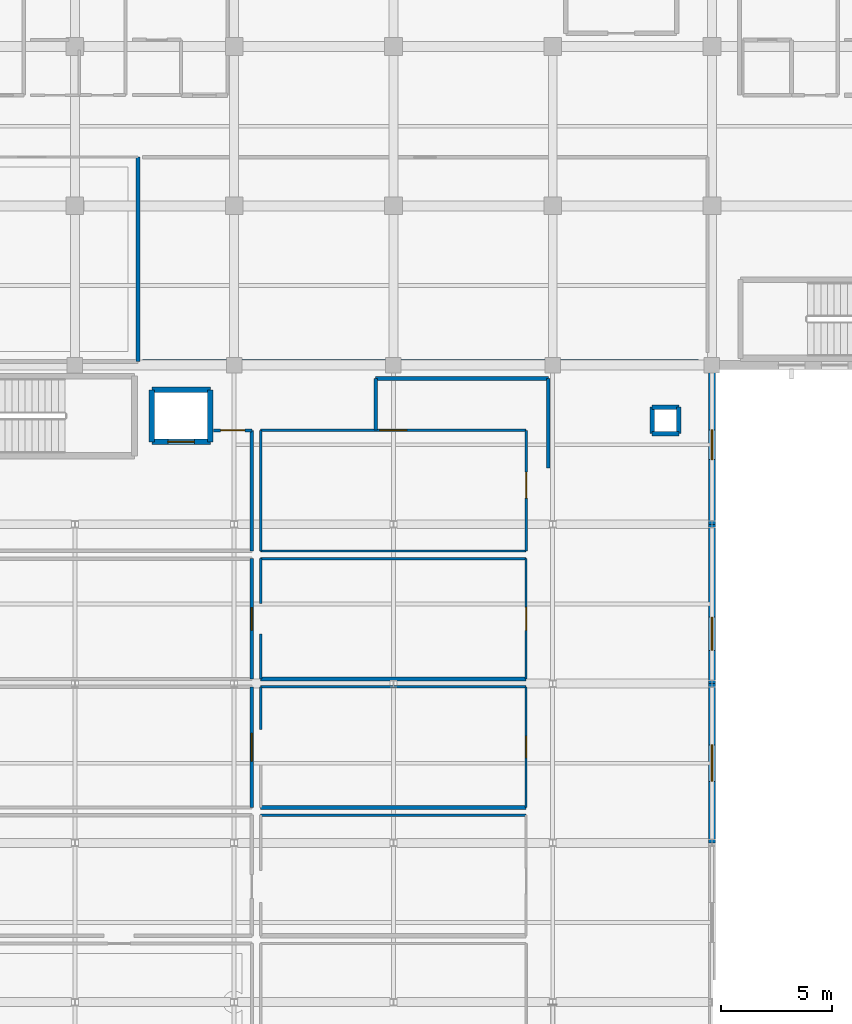
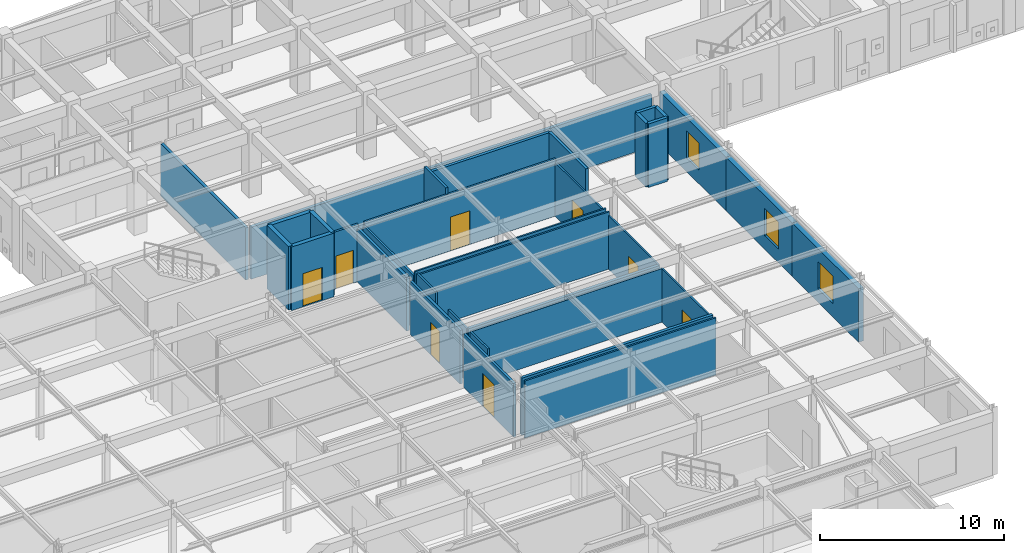
# One storey, part 77 of 106: 34 walls, 8 doors, 3 windows, 11 openings.
"""IFC4 building model written with IfcOpenShell, lengths in metres."""

from ifc_helpers import new_model, si_unit, direction, frame, frame_2d, origin, place, context, subcontext, project, spatial, rectangle, extrude, material, layer, layer_set, type_object, element, fill, save


model = new_model("IFC4")

# Units and contexts
model_context = context("Model", 3, precision=1e-05, world=origin(), true_north=direction((0.0, 1.0)))
body_context = subcontext(model_context, "Body", "Model", "MODEL_VIEW")
ifc_project = project(units=[si_unit("LENGTHUNIT", "METRE"), si_unit("AREAUNIT", "SQUARE_METRE"), si_unit("VOLUMEUNIT", "CUBIC_METRE"), si_unit("PLANEANGLEUNIT", "RADIAN"), si_unit("MASSUNIT", "GRAM", prefix="KILO")], contexts=[model_context])

# Site, building, storey
site_placement = place(None, origin())
site = spatial("IfcSite", under=ifc_project, at=site_placement, CompositionType="ELEMENT")
building_placement = place(site_placement, origin())
building = spatial("IfcBuilding", under=site, at=building_placement, Name="Carrowvane Square Congress Hotel", CompositionType="ELEMENT")
storey_placement = place(building_placement, frame((0.0, 0.0, 10.5)))
storey = spatial("IfcBuildingStorey", under=building, at=storey_placement, Name="L02", CompositionType="ELEMENT", Elevation=10.5)

# Wall, opening, window
ifc_material_1 = material(Name="Standing-seam zinc cladding", Category="metal")
ifc_layer_1 = layer(ifc_material_1, 0.31005859375)
ifc_layer_set_1 = layer_set([ifc_layer_1], Name="Standing-seam zinc cladding")
wall_type_1 = type_object("IfcWallType", Name="WL-EXT-ZN310", PredefinedType="STANDARD", material=ifc_layer_set_1)
wall_1_placement = place(storey_placement, frame((69.199951171875, 91.800048828125, 0.0), z_axis=(0.0, 0.0, 1.0), x_axis=(0.0, -1.0, 0.0)))
wall_1 = element("IfcWall", 1, at=wall_1_placement, inside=storey, type_object=wall_type_1, Name="L02 exterior facade wall 323", PredefinedType="STANDARD", context=body_context, shape_type="SweptSolid", body=[
    extrude(rectangle(XDim=7.199951171875, YDim=0.31005859375, at=frame_2d((3.60009765625, 0.0))), origin(), (0.0, 0.0, 1.0), 3.554931640625),
])
opening_1_placement = place(wall_1_placement, frame((2.925048828125, 0.0, 0.89990234375)))
opening_1 = element("IfcOpeningElement", 2, at=opening_1_placement, cuts=wall_1, Name="Opening W-02", PredefinedType="OPENING", context=body_context, shape_type="SweptSolid", body=[
    extrude(rectangle(XDim=1.35009765625, YDim=1.800048828125, at=frame_2d((0.675048828125, 0.89990234375))), frame((0.0, 0.1650390625, 0.0), z_axis=(0.0, -1.0, 0.0), x_axis=(1.0, 0.0, 0.0)), (0.0, 0.0, 1.0), 0.330078125),
])
ifc_material_2 = material(Name="Double-glazed low-E glass", Category="glass")
window_type_1 = type_object("IfcWindowType", Name="WIN-02", PartitioningType="SINGLE_PANEL", PredefinedType="WINDOW", material=ifc_material_2)
window_1_placement = place(opening_1_placement, origin())
window_1 = element("IfcWindow", 3, at=window_1_placement, inside=storey, type_object=window_type_1, Name="L02 facade window 150", OverallHeight=1.800048828125, OverallWidth=1.35009765625, PartitioningType="SINGLE_PANEL", PredefinedType="WINDOW", context=body_context, shape_type="SweptSolid", body=[
    extrude(rectangle(XDim=1.35009765625, YDim=1.800048828125, at=frame_2d((0.675048828125, 0.89990234375))), frame((0.0, 0.030029296875, 0.0), z_axis=(0.0, -1.0, 0.0), x_axis=(1.0, 0.0, 0.0)), (0.0, 0.0, 1.0), 0.06005859375),
])
fill(opening_1, window_1)

wall_2_placement = place(storey_placement, frame((69.199951171875, 84.60009765625, 0.0), z_axis=(0.0, 0.0, 1.0), x_axis=(0.0, -1.0, 0.0)))
wall_2 = element("IfcWall", 4, at=wall_2_placement, inside=storey, type_object=wall_type_1, Name="L02 exterior facade wall 324", PredefinedType="STANDARD", context=body_context, shape_type="SweptSolid", body=[
    extrude(rectangle(XDim=7.2001953125, YDim=0.31005859375, at=frame_2d((3.60009765625, 0.0))), origin(), (0.0, 0.0, 1.0), 3.554931640625),
])
opening_2_placement = place(wall_2_placement, frame((4.199951171875, 0.0, 0.89990234375)))
opening_2 = element("IfcOpeningElement", 5, at=opening_2_placement, cuts=wall_2, Name="Opening W-03", PredefinedType="OPENING", context=body_context, shape_type="SweptSolid", body=[
    extrude(rectangle(XDim=1.5, YDim=1.800048828125, at=frame_2d((0.75, 0.89990234375))), frame((0.0, 0.1650390625, 0.0), z_axis=(0.0, -1.0, 0.0), x_axis=(1.0, 0.0, 0.0)), (0.0, 0.0, 1.0), 0.330078125),
])
ifc_material_3 = material(Name="Double-glazed low-E glass", Category="glass")
window_type_2 = type_object("IfcWindowType", Name="WIN-03", PartitioningType="SINGLE_PANEL", PredefinedType="WINDOW", material=ifc_material_3)
window_2_placement = place(opening_2_placement, origin())
window_2 = element("IfcWindow", 6, at=window_2_placement, inside=storey, type_object=window_type_2, Name="L02 facade window 151", OverallHeight=1.800048828125, OverallWidth=1.5, PartitioningType="SINGLE_PANEL", PredefinedType="WINDOW", context=body_context, shape_type="SweptSolid", body=[
    extrude(rectangle(XDim=1.5, YDim=1.800048828125, at=frame_2d((0.75, 0.89990234375))), frame((0.0, 0.030029296875, 0.0), z_axis=(0.0, -1.0, 0.0), x_axis=(1.0, 0.0, 0.0)), (0.0, 0.0, 1.0), 0.06005859375),
])
fill(opening_2, window_2)

wall_3_placement = place(storey_placement, frame((69.199951171875, 77.39990234375, 0.0), z_axis=(0.0, 0.0, 1.0), x_axis=(0.0, -1.0, 0.0)))
wall_3 = element("IfcWall", 7, at=wall_3_placement, inside=storey, type_object=wall_type_1, Name="L02 exterior facade wall 325", PredefinedType="STANDARD", context=body_context, shape_type="SweptSolid", body=[
    extrude(rectangle(XDim=7.199951171875, YDim=0.31005859375, at=frame_2d((3.60009765625, 0.0))), origin(), (0.0, 0.0, 1.0), 3.554931640625),
])
opening_3_placement = place(wall_3_placement, frame((2.77490234375, 0.0, 0.89990234375)))
opening_3 = element("IfcOpeningElement", 8, at=opening_3_placement, cuts=wall_3, Name="Opening W-04", PredefinedType="OPENING", context=body_context, shape_type="SweptSolid", body=[
    extrude(rectangle(XDim=1.64990234375, YDim=1.800048828125, at=frame_2d((0.824951171875, 0.89990234375))), frame((0.0, 0.1650390625, 0.0), z_axis=(0.0, -1.0, 0.0), x_axis=(1.0, 0.0, 0.0)), (0.0, 0.0, 1.0), 0.330078125),
])
ifc_material_4 = material(Name="Double-glazed low-E glass", Category="glass")
window_type_3 = type_object("IfcWindowType", Name="WIN-04", PartitioningType="SINGLE_PANEL", PredefinedType="WINDOW", material=ifc_material_4)
window_3_placement = place(opening_3_placement, origin())
window_3 = element("IfcWindow", 9, at=window_3_placement, inside=storey, type_object=window_type_3, Name="L02 facade window 152", OverallHeight=1.800048828125, OverallWidth=1.64990234375, PartitioningType="SINGLE_PANEL", PredefinedType="WINDOW", context=body_context, shape_type="SweptSolid", body=[
    extrude(rectangle(XDim=1.64990234375, YDim=1.800048828125, at=frame_2d((0.824951171875, 0.89990234375))), frame((0.0, 0.030029296875, 0.0), z_axis=(0.0, -1.0, 0.0), x_axis=(1.0, 0.0, 0.0)), (0.0, 0.0, 1.0), 0.06005859375),
])
fill(opening_3, window_3)

# Walls
ifc_material_5 = material(Name="Acoustic gypsum board", Category="gypsum")
ifc_layer_2 = layer(ifc_material_5, 0.155029296875)
ifc_layer_set_2 = layer_set([ifc_layer_2], Name="Acoustic gypsum board")
wall_type_2 = type_object("IfcWallType", Name="WL-FIR-155", PredefinedType="PARTITIONING", material=ifc_layer_set_2)
wall_4_placement = place(storey_placement, frame((54.0, 88.860107421875, 0.0), z_axis=(0.0, 0.0, 1.0), x_axis=(0.0, 1.0, 0.0)))
element("IfcWall", 10, at=wall_4_placement, inside=storey, type_object=wall_type_2, Name="L02 Second Floor Spa Accessible WC partition", PredefinedType="PARTITIONING", context=body_context, shape_type="SweptSolid", body=[
    extrude(rectangle(XDim=2.33984375, YDim=0.155029296875, at=frame_2d((1.169921875, 0.0))), origin(), (0.0, 0.0, 1.0), 4.219970703125),
])
ifc_material_6 = material(Name="Acoustic gypsum board", Category="gypsum")
ifc_layer_3 = layer(ifc_material_6, 0.169921875)
ifc_layer_set_3 = layer_set([ifc_layer_3], Name="Acoustic gypsum board")
wall_type_3 = type_object("IfcWallType", Name="WL-FIR-170", PredefinedType="PARTITIONING", material=ifc_layer_set_3)
wall_5_placement = place(storey_placement, frame((48.39990234375, 88.85009765625, 0.0), z_axis=(0.0, 0.0, 1.0), x_axis=(0.0, -1.0, 0.0)))
element("IfcWall", 11, at=wall_5_placement, inside=storey, type_object=wall_type_3, Name="L02 Holistic Spa Suite 209 partition", PredefinedType="PARTITIONING", context=body_context, shape_type="SweptSolid", body=[
    extrude(rectangle(XDim=5.4501953125, YDim=0.169921875, at=frame_2d((2.72509765625, 0.0))), origin(), (0.0, 0.0, 1.0), 3.554931640625),
])
wall_6_placement = place(storey_placement, frame((61.800048828125, 91.199951171875, 0.0), z_axis=(0.0, 0.0, 1.0), x_axis=(0.0, -1.0, 0.0)))
element("IfcWall", 12, at=wall_6_placement, inside=storey, type_object=wall_type_3, Name="L02 Second Floor Spa Accessible WC partition", PredefinedType="PARTITIONING", context=body_context, shape_type="SweptSolid", body=[
    extrude(rectangle(XDim=4.054931640625, YDim=0.169921875, at=frame_2d((2.02734375, 0.0))), origin(), (0.0, 0.0, 1.0), 3.795654296875),
])
ifc_material_7 = material(Name="Acoustic gypsum board", Category="gypsum")
ifc_layer_4 = layer(ifc_material_7, 0.18505859375)
ifc_layer_set_4 = layer_set([ifc_layer_4], Name="Acoustic gypsum board")
wall_type_4 = type_object("IfcWallType", Name="WL-FIR-185", PredefinedType="PARTITIONING", material=ifc_layer_set_4)
wall_7_placement = place(storey_placement, frame((43.25, 101.199951171875, 0.0), z_axis=(0.0, 0.0, 1.0), x_axis=(0.0, -1.0, 0.0)))
element("IfcWall", 13, at=wall_7_placement, inside=storey, type_object=wall_type_4, Name="L02 L02 Wellness Reading Lounge partition", PredefinedType="PARTITIONING", context=body_context, shape_type="SweptSolid", body=[
    extrude(rectangle(XDim=9.239990234375, YDim=0.18505859375, at=frame_2d((4.6201171875, 0.0))), origin(), (0.0, 0.0, 1.0), 3.455078125),
])
wall_8_placement = place(storey_placement, frame((68.590087890625, 91.9599609375, 0.0), z_axis=(0.0, 0.0, 1.0), x_axis=(-1.0, 0.0, 0.0)))
element("IfcWall", 14, at=wall_8_placement, inside=storey, type_object=wall_type_4, Name="L02 L02 West Delegate Linen and Service Room partition", PredefinedType="PARTITIONING", context=body_context, shape_type="SweptSolid", body=[
    extrude(rectangle(XDim=25.14013671875, YDim=0.18505859375, at=frame_2d((12.570068359375, 0.0))), origin(), (0.0, 0.0, 1.0), 3.455078125),
])
wall_9_placement = place(storey_placement, frame((60.800048828125, 71.800048828125, 0.0), z_axis=(0.0, 0.0, 1.0), x_axis=(-1.0, 0.0, 0.0)))
element("IfcWall", 15, at=wall_9_placement, inside=storey, type_object=wall_type_4, Name="L02 Holistic Spa Suite 206 partition", PredefinedType="PARTITIONING", context=body_context, shape_type="SweptSolid", body=[
    extrude(rectangle(XDim=12.0, YDim=0.18505859375, at=frame_2d((6.0, 0.0))), origin(), (0.0, 0.0, 1.0), 3.795654296875),
])
wall_10_placement = place(storey_placement, frame((60.800048828125, 77.60009765625, 0.0), z_axis=(0.0, 0.0, 1.0), x_axis=(-1.0, 0.0, 0.0)))
element("IfcWall", 16, at=wall_10_placement, inside=storey, type_object=wall_type_4, Name="L02 Holistic Spa Suite 208 partition", PredefinedType="PARTITIONING", context=body_context, shape_type="SweptSolid", body=[
    extrude(rectangle(XDim=12.0, YDim=0.18505859375, at=frame_2d((6.0, 0.0))), origin(), (0.0, 0.0, 1.0), 3.554931640625),
])
wall_11_placement = place(storey_placement, frame((54.0, 91.199951171875, 0.0), z_axis=(0.0, 0.0, 1.0), x_axis=(1.0, 0.0, 0.0)))
element("IfcWall", 17, at=wall_11_placement, inside=storey, type_object=wall_type_4, Name="L02 Second Floor Spa Accessible WC partition", PredefinedType="PARTITIONING", context=body_context, shape_type="SweptSolid", body=[
    extrude(rectangle(XDim=7.800048828125, YDim=0.18505859375, at=frame_2d((3.89990234375, 0.0))), origin(), (0.0, 0.0, 1.0), 3.795654296875),
])
ifc_material_8 = material(Name="Standing-seam zinc cladding", Category="metal")
ifc_layer_5 = layer(ifc_material_8, 0.195068359375)
ifc_layer_set_5 = layer_set([ifc_layer_5], Name="Standing-seam zinc cladding")
wall_type_5 = type_object("IfcWallType", Name="WL-PAR-195", PredefinedType="PARAPET", material=ifc_layer_set_5)
for number, where, z_axis, x_axis, name in (
    (18, (66.5, 88.699951171875, 0.0), (0.0, 0.0, 1.0), (1.0, 0.0, 0.0), "L02 service riser RSR-V4 enclosure S"),
    (19, (67.699951171875, 88.699951171875, 0.0), (0.0, 0.0, 1.0), (0.0, 1.0, 0.0), "L02 service riser RSR-V4 enclosure E"),
    (20, (67.699951171875, 89.89990234375, 0.0), (0.0, 0.0, 1.0), (-1.0, 0.0, 0.0), "L02 service riser RSR-V4 enclosure N"),
    (21, (66.5, 89.89990234375, 0.0), (0.0, 0.0, 1.0), (0.0, -1.0, 0.0), "L02 service riser RSR-V4 enclosure W"),
):
    element("IfcWall", number, at=place(storey_placement, frame(where, z_axis=z_axis, x_axis=x_axis)), inside=storey, type_object=wall_type_5, Name=name, PredefinedType="PARAPET", context=body_context, shape_type="SweptSolid", body=[
        extrude(rectangle(XDim=1.199951171875, YDim=0.195068359375, at=frame_2d((0.60009765625, 0.0))), origin(), (0.0, 0.0, 1.0), 4.219970703125),
    ])

# Wall, opening, door
ifc_material_9 = material(Name="Acoustic gypsum board", Category="gypsum")
ifc_layer_6 = layer(ifc_material_9, 0.097900390625)
ifc_layer_set_6 = layer_set([ifc_layer_6], Name="Acoustic gypsum board")
wall_type_6 = type_object("IfcWallType", Name="WL-PRT-098", PredefinedType="PARTITIONING", material=ifc_layer_set_6)
wall_12_placement = place(storey_placement, frame((60.800048828125, 77.25, 0.0), z_axis=(0.0, 0.0, 1.0), x_axis=(0.0, -1.0, 0.0)))
wall_12 = element("IfcWall", 22, at=wall_12_placement, inside=storey, type_object=wall_type_6, Name="L02 Holistic Spa Suite 206 partition", PredefinedType="PARTITIONING", context=body_context, shape_type="SweptSolid", body=[
    extrude(rectangle(XDim=5.449951171875, YDim=0.097900390625, at=frame_2d((2.72509765625, 0.0))), origin(), (0.0, 0.0, 1.0), 3.554931640625),
])
opening_4_placement = place(wall_12_placement, frame((2.239990234375, 0.0, 0.0)))
opening_4 = element("IfcOpeningElement", 23, at=opening_4_placement, cuts=wall_12, Name="Opening ID-19", PredefinedType="OPENING", context=body_context, shape_type="SweptSolid", body=[
    extrude(rectangle(XDim=0.969970703125, YDim=2.159912109375, at=frame_2d((0.48486328125, 1.080078125))), frame((0.0, 0.058837890625, 0.0), z_axis=(0.0, -1.0, 0.0), x_axis=(1.0, 0.0, 0.0)), (0.0, 0.0, 1.0), 0.117919921875),
])
ifc_material_10 = material(Name="European oak timber", Category="wood")
door_type_1 = type_object("IfcDoorType", Name="DR-INT-0970x2160", OperationType="NOTDEFINED", PredefinedType="DOOR", material=ifc_material_10)
door_1_placement = place(opening_4_placement, origin())
door_1 = element("IfcDoor", 24, at=door_1_placement, inside=storey, type_object=door_type_1, Name="L02 Holistic Spa Suite 206 entrance door", OperationType="SINGLE_SWING_RIGHT", OverallHeight=2.159912109375, OverallWidth=0.969970703125, PredefinedType="DOOR", context=body_context, shape_type="SweptSolid", body=[
    extrude(rectangle(XDim=0.969970703125, YDim=2.159912109375, at=frame_2d((0.48486328125, 1.080078125))), frame((0.0, 0.02490234375, 0.0), z_axis=(0.0, -1.0, 0.0), x_axis=(1.0, 0.0, 0.0)), (0.0, 0.0, 1.0), 0.050048828125),
])
fill(opening_4, door_1)

wall_13_placement = place(storey_placement, frame((60.800048828125, 83.050048828125, 0.0), z_axis=(0.0, 0.0, 1.0), x_axis=(0.0, -1.0, 0.0)))
wall_13 = element("IfcWall", 25, at=wall_13_placement, inside=storey, type_object=wall_type_6, Name="L02 Holistic Spa Suite 208 partition", PredefinedType="PARTITIONING", context=body_context, shape_type="SweptSolid", body=[
    extrude(rectangle(XDim=5.449951171875, YDim=0.097900390625, at=frame_2d((2.72509765625, 0.0))), origin(), (0.0, 0.0, 1.0), 3.554931640625),
])
opening_5_placement = place(wall_13_placement, frame((2.199951171875, 0.0, 0.0)))
opening_5 = element("IfcOpeningElement", 26, at=opening_5_placement, cuts=wall_13, Name="Opening ID-21", PredefinedType="OPENING", context=body_context, shape_type="SweptSolid", body=[
    extrude(rectangle(XDim=1.050048828125, YDim=2.179931640625, at=frame_2d((0.52490234375, 1.08984375))), frame((0.0, 0.058837890625, 0.0), z_axis=(0.0, -1.0, 0.0), x_axis=(1.0, 0.0, 0.0)), (0.0, 0.0, 1.0), 0.117919921875),
])
ifc_material_11 = material(Name="European oak timber", Category="wood")
door_type_2 = type_object("IfcDoorType", Name="DR-INT-1050x2180", OperationType="NOTDEFINED", PredefinedType="DOOR", material=ifc_material_11)
door_2_placement = place(opening_5_placement, origin())
door_2 = element("IfcDoor", 27, at=door_2_placement, inside=storey, type_object=door_type_2, Name="L02 Holistic Spa Suite 208 entrance door", OperationType="SINGLE_SWING_RIGHT", OverallHeight=2.179931640625, OverallWidth=1.050048828125, PredefinedType="DOOR", context=body_context, shape_type="SweptSolid", body=[
    extrude(rectangle(XDim=1.050048828125, YDim=2.179931640625, at=frame_2d((0.52490234375, 1.08984375))), frame((0.0, 0.02490234375, 0.0), z_axis=(0.0, -1.0, 0.0), x_axis=(1.0, 0.0, 0.0)), (0.0, 0.0, 1.0), 0.050048828125),
])
fill(opening_5, door_2)

# Walls
wall_14_placement = place(storey_placement, frame((60.800048828125, 83.39990234375, 0.0), z_axis=(0.0, 0.0, 1.0), x_axis=(-1.0, 0.0, 0.0)))
element("IfcWall", 28, at=wall_14_placement, inside=storey, type_object=wall_type_6, Name="L02 Holistic Spa Suite 2010 partition", PredefinedType="PARTITIONING", context=body_context, shape_type="SweptSolid", body=[
    extrude(rectangle(XDim=12.0, YDim=0.097900390625, at=frame_2d((6.0, 0.0))), origin(), (0.0, 0.0, 1.0), 3.795654296875),
])
ifc_material_12 = material(Name="Acoustic gypsum board", Category="gypsum")
ifc_layer_7 = layer(ifc_material_12, 0.10791015625)
ifc_layer_set_7 = layer_set([ifc_layer_7], Name="Acoustic gypsum board")
wall_type_7 = type_object("IfcWallType", Name="WL-PRT-108", PredefinedType="PARTITIONING", material=ifc_layer_set_7)
wall_15_placement = place(storey_placement, frame((48.800048828125, 71.449951171875, 0.0), z_axis=(0.0, 0.0, 1.0), x_axis=(1.0, 0.0, 0.0)))
element("IfcWall", 29, at=wall_15_placement, inside=storey, type_object=wall_type_7, Name="L02 Holistic Spa Suite 204 partition", PredefinedType="PARTITIONING", context=body_context, shape_type="SweptSolid", body=[
    extrude(rectangle(XDim=12.0, YDim=0.10791015625, at=frame_2d((6.0, 0.0))), origin(), (0.0, 0.0, 1.0), 3.795654296875),
])
wall_16_placement = place(storey_placement, frame((48.800048828125, 77.25, 0.0), z_axis=(0.0, 0.0, 1.0), x_axis=(1.0, 0.0, 0.0)))
element("IfcWall", 30, at=wall_16_placement, inside=storey, type_object=wall_type_7, Name="L02 Holistic Spa Suite 206 partition", PredefinedType="PARTITIONING", context=body_context, shape_type="SweptSolid", body=[
    extrude(rectangle(XDim=12.0, YDim=0.10791015625, at=frame_2d((6.0, 0.0))), origin(), (0.0, 0.0, 1.0), 3.554931640625),
])
wall_17_placement = place(storey_placement, frame((48.800048828125, 83.050048828125, 0.0), z_axis=(0.0, 0.0, 1.0), x_axis=(1.0, 0.0, 0.0)))
element("IfcWall", 31, at=wall_17_placement, inside=storey, type_object=wall_type_7, Name="L02 Holistic Spa Suite 208 partition", PredefinedType="PARTITIONING", context=body_context, shape_type="SweptSolid", body=[
    extrude(rectangle(XDim=12.0, YDim=0.10791015625, at=frame_2d((6.0, 0.0))), origin(), (0.0, 0.0, 1.0), 3.795654296875),
])

# Wall, opening, door
wall_18_placement = place(storey_placement, frame((60.800048828125, 88.85009765625, 0.0), z_axis=(0.0, 0.0, 1.0), x_axis=(0.0, -1.0, 0.0)))
wall_18 = element("IfcWall", 32, at=wall_18_placement, inside=storey, type_object=wall_type_7, Name="L02 Holistic Spa Suite 2010 partition", PredefinedType="PARTITIONING", context=body_context, shape_type="SweptSolid", body=[
    extrude(rectangle(XDim=5.4501953125, YDim=0.10791015625, at=frame_2d((2.72509765625, 0.0))), origin(), (0.0, 0.0, 1.0), 3.554931640625),
])
opening_6_placement = place(wall_18_placement, frame((1.885009765625, 0.0, 0.0)))
opening_6 = element("IfcOpeningElement", 33, at=opening_6_placement, cuts=wall_18, Name="Opening ID-23", PredefinedType="OPENING", context=body_context, shape_type="SweptSolid", body=[
    extrude(rectangle(XDim=1.179931640625, YDim=2.219970703125, at=frame_2d((0.58984375, 1.10986328125))), frame((0.0, 0.06396484375, 0.0), z_axis=(0.0, -1.0, 0.0), x_axis=(1.0, 0.0, 0.0)), (0.0, 0.0, 1.0), 0.1279296875),
])
ifc_material_13 = material(Name="European oak timber", Category="wood")
door_type_3 = type_object("IfcDoorType", Name="DR-INT-1180x2220", OperationType="NOTDEFINED", PredefinedType="DOOR", material=ifc_material_13)
door_3_placement = place(opening_6_placement, origin())
door_3 = element("IfcDoor", 34, at=door_3_placement, inside=storey, type_object=door_type_3, Name="L02 Holistic Spa Suite 2010 entrance door", OperationType="SINGLE_SWING_RIGHT", OverallHeight=2.219970703125, OverallWidth=1.179931640625, PredefinedType="DOOR", context=body_context, shape_type="SweptSolid", body=[
    extrude(rectangle(XDim=1.179931640625, YDim=2.219970703125, at=frame_2d((0.58984375, 1.10986328125))), frame((0.0, 0.02490234375, 0.0), z_axis=(0.0, -1.0, 0.0), x_axis=(1.0, 0.0, 0.0)), (0.0, 0.0, 1.0), 0.050048828125),
])
fill(opening_6, door_3)

# Walls
ifc_material_14 = material(Name="Acoustic gypsum board", Category="gypsum")
ifc_layer_8 = layer(ifc_material_14, 0.117919921875)
ifc_layer_set_8 = layer_set([ifc_layer_8], Name="Acoustic gypsum board")
wall_type_8 = type_object("IfcWallType", Name="WL-PRT-118", PredefinedType="PARTITIONING", material=ifc_layer_set_8)
wall_19_placement = place(storey_placement, frame((48.800048828125, 75.330078125, 0.0), z_axis=(0.0, 0.0, 1.0), x_axis=(0.0, 1.0, 0.0)))
element("IfcWall", 35, at=wall_19_placement, inside=storey, type_object=wall_type_8, Name="L02 Holistic Spa Suite 206 partition", PredefinedType="PARTITIONING", context=body_context, shape_type="SweptSolid", body=[
    extrude(rectangle(XDim=1.919921875, YDim=0.117919921875, at=frame_2d((0.9599609375, 0.0))), origin(), (0.0, 0.0, 1.0), 3.554931640625),
])
wall_20_placement = place(storey_placement, frame((48.800048828125, 81.010009765625, 0.0), z_axis=(0.0, 0.0, 1.0), x_axis=(0.0, 1.0, 0.0)))
element("IfcWall", 36, at=wall_20_placement, inside=storey, type_object=wall_type_8, Name="L02 Holistic Spa Suite 208 partition", PredefinedType="PARTITIONING", context=body_context, shape_type="SweptSolid", body=[
    extrude(rectangle(XDim=2.0400390625, YDim=0.117919921875, at=frame_2d((1.02001953125, 0.0))), origin(), (0.0, 0.0, 1.0), 3.8984375),
])

# Wall, opening, door
wall_21_placement = place(storey_placement, frame((48.800048828125, 88.85009765625, 0.0), z_axis=(0.0, 0.0, 1.0), x_axis=(1.0, 0.0, 0.0)))
wall_21 = element("IfcWall", 37, at=wall_21_placement, inside=storey, type_object=wall_type_8, Name="L02 Holistic Spa Suite 2010 partition", PredefinedType="PARTITIONING", context=body_context, shape_type="SweptSolid", body=[
    extrude(rectangle(XDim=12.0, YDim=0.117919921875, at=frame_2d((6.0, 0.0))), origin(), (0.0, 0.0, 1.0), 3.795654296875),
])
opening_7_placement = place(wall_21_placement, frame((5.389892578125, 0.0, 0.0)))
opening_7 = element("IfcOpeningElement", 38, at=opening_7_placement, cuts=wall_21, Name="Opening ID-24", PredefinedType="OPENING", context=body_context, shape_type="SweptSolid", body=[
    extrude(rectangle(XDim=1.219970703125, YDim=2.239990234375, at=frame_2d((0.60986328125, 1.1201171875))), frame((0.0, 0.06884765625, 0.0), z_axis=(0.0, -1.0, 0.0), x_axis=(1.0, 0.0, 0.0)), (0.0, 0.0, 1.0), 0.137939453125),
])
ifc_material_15 = material(Name="European oak timber", Category="wood")
door_type_4 = type_object("IfcDoorType", Name="DR-INT-1220x2240", OperationType="NOTDEFINED", PredefinedType="DOOR", material=ifc_material_15)
door_4_placement = place(opening_7_placement, origin())
door_4 = element("IfcDoor", 39, at=door_4_placement, inside=storey, type_object=door_type_4, Name="L02 Second Floor Spa Accessible WC entrance door", OperationType="SINGLE_SWING_LEFT", OverallHeight=2.239990234375, OverallWidth=1.219970703125, PredefinedType="DOOR", context=body_context, shape_type="SweptSolid", body=[
    extrude(rectangle(XDim=1.219970703125, YDim=2.239990234375, at=frame_2d((0.60986328125, 1.1201171875))), frame((0.0, 0.02490234375, 0.0), z_axis=(0.0, -1.0, 0.0), x_axis=(1.0, 0.0, 0.0)), (0.0, 0.0, 1.0), 0.050048828125),
])
fill(opening_7, door_4)

# Walls
ifc_material_16 = material(Name="Acoustic gypsum board", Category="gypsum")
ifc_layer_9 = layer(ifc_material_16, 0.1279296875)
ifc_layer_set_9 = layer_set([ifc_layer_9], Name="Acoustic gypsum board")
wall_type_9 = type_object("IfcWallType", Name="WL-PRT-128", PredefinedType="PARTITIONING", material=ifc_layer_set_9)
wall_22_placement = place(storey_placement, frame((48.800048828125, 77.60009765625, 0.0), z_axis=(0.0, 0.0, 1.0), x_axis=(0.0, 1.0, 0.0)))
element("IfcWall", 40, at=wall_22_placement, inside=storey, type_object=wall_type_9, Name="L02 Holistic Spa Suite 208 partition", PredefinedType="PARTITIONING", context=body_context, shape_type="SweptSolid", body=[
    extrude(rectangle(XDim=2.039794921875, YDim=0.1279296875, at=frame_2d((1.02001953125, 0.0))), origin(), (0.0, 0.0, 1.0), 3.554931640625),
])
wall_23_placement = place(storey_placement, frame((48.800048828125, 83.39990234375, 0.0), z_axis=(0.0, 0.0, 1.0), x_axis=(0.0, 1.0, 0.0)))
element("IfcWall", 41, at=wall_23_placement, inside=storey, type_object=wall_type_9, Name="L02 Holistic Spa Suite 2010 partition", PredefinedType="PARTITIONING", context=body_context, shape_type="SweptSolid", body=[
    extrude(rectangle(XDim=5.4501953125, YDim=0.1279296875, at=frame_2d((2.72509765625, 0.0))), origin(), (0.0, 0.0, 1.0), 3.554931640625),
])

# Wall, opening, door
ifc_material_17 = material(Name="Acoustic gypsum board", Category="gypsum")
ifc_layer_10 = layer(ifc_material_17, 0.137939453125)
ifc_layer_set_10 = layer_set([ifc_layer_10], Name="Acoustic gypsum board")
wall_type_10 = type_object("IfcWallType", Name="WL-PRT-138", PredefinedType="PARTITIONING", material=ifc_layer_set_10)
wall_24_placement = place(storey_placement, frame((46.669921875, 88.85009765625, 0.0), z_axis=(0.0, 0.0, 1.0), x_axis=(1.0, 0.0, 0.0)))
wall_24 = element("IfcWall", 42, at=wall_24_placement, inside=storey, type_object=wall_type_10, Name="L02 Holistic Spa Suite 209 partition", PredefinedType="PARTITIONING", context=body_context, shape_type="SweptSolid", body=[
    extrude(rectangle(XDim=1.72998046875, YDim=0.137939453125, at=frame_2d((0.864990234375, 0.0))), origin(), (0.0, 0.0, 1.0), 3.795654296875),
])
opening_8_placement = place(wall_24_placement, frame((0.31494140625, 0.0, 0.0)))
opening_8 = element("IfcOpeningElement", 43, at=opening_8_placement, cuts=wall_24, Name="Opening ID-22", PredefinedType="OPENING", context=body_context, shape_type="SweptSolid", body=[
    extrude(rectangle(XDim=1.10009765625, YDim=2.179931640625, at=frame_2d((0.550048828125, 1.08984375))), frame((0.0, 0.078857421875, 0.0), z_axis=(0.0, -1.0, 0.0), x_axis=(1.0, 0.0, 0.0)), (0.0, 0.0, 1.0), 0.157958984375),
])
ifc_material_18 = material(Name="European oak timber", Category="wood")
door_type_5 = type_object("IfcDoorType", Name="DR-INT-1100x2180", OperationType="NOTDEFINED", PredefinedType="DOOR", material=ifc_material_18)
door_5_placement = place(opening_8_placement, origin())
door_5 = element("IfcDoor", 44, at=door_5_placement, inside=storey, type_object=door_type_5, Name="L02 Holistic Spa Suite 209 entrance door", OperationType="SINGLE_SWING_LEFT", OverallHeight=2.179931640625, OverallWidth=1.10009765625, PredefinedType="DOOR", context=body_context, shape_type="SweptSolid", body=[
    extrude(rectangle(XDim=1.10009765625, YDim=2.179931640625, at=frame_2d((0.550048828125, 1.08984375))), frame((0.0, 0.02490234375, 0.0), z_axis=(0.0, -1.0, 0.0), x_axis=(1.0, 0.0, 0.0)), (0.0, 0.0, 1.0), 0.050048828125),
])
fill(opening_8, door_5)

ifc_material_19 = material(Name="Acoustic gypsum board", Category="gypsum")
ifc_layer_11 = layer(ifc_material_19, 0.14794921875)
ifc_layer_set_11 = layer_set([ifc_layer_11], Name="Acoustic gypsum board")
wall_type_11 = type_object("IfcWallType", Name="WL-PRT-148", PredefinedType="PARTITIONING", material=ifc_layer_set_11)
wall_25_placement = place(storey_placement, frame((48.39990234375, 77.25, 0.0), z_axis=(0.0, 0.0, 1.0), x_axis=(0.0, -1.0, 0.0)))
wall_25 = element("IfcWall", 45, at=wall_25_placement, inside=storey, type_object=wall_type_11, Name="L02 Holistic Spa Suite 205 partition", PredefinedType="PARTITIONING", context=body_context, shape_type="SweptSolid", body=[
    extrude(rectangle(XDim=5.449951171875, YDim=0.14794921875, at=frame_2d((2.72509765625, 0.0))), origin(), (0.0, 0.0, 1.0), 3.554931640625),
])
opening_9_placement = place(wall_25_placement, frame((2.10009765625, 0.0, 0.0)))
opening_9 = element("IfcOpeningElement", 46, at=opening_9_placement, cuts=wall_25, Name="Opening ID-10", PredefinedType="OPENING", context=body_context, shape_type="SweptSolid", body=[
    extrude(rectangle(XDim=1.25, YDim=2.199951171875, at=frame_2d((0.625, 1.10009765625))), frame((0.0, 0.083984375, 0.0), z_axis=(0.0, -1.0, 0.0), x_axis=(1.0, 0.0, 0.0)), (0.0, 0.0, 1.0), 0.16796875),
])
ifc_material_20 = material(Name="European oak timber", Category="wood")
door_type_6 = type_object("IfcDoorType", Name="DR-INT-1250x2200", OperationType="NOTDEFINED", PredefinedType="DOOR", material=ifc_material_20)
door_6_placement = place(opening_9_placement, origin())
door_6 = element("IfcDoor", 47, at=door_6_placement, inside=storey, type_object=door_type_6, Name="L02 Holistic Spa Suite 205 entrance door", OperationType="SINGLE_SWING_LEFT", OverallHeight=2.199951171875, OverallWidth=1.25, PredefinedType="DOOR", context=body_context, shape_type="SweptSolid", body=[
    extrude(rectangle(XDim=1.25, YDim=2.199951171875, at=frame_2d((0.625, 1.10009765625))), frame((0.0, 0.02490234375, 0.0), z_axis=(0.0, -1.0, 0.0), x_axis=(1.0, 0.0, 0.0)), (0.0, 0.0, 1.0), 0.050048828125),
])
fill(opening_9, door_6)

wall_26_placement = place(storey_placement, frame((48.39990234375, 83.050048828125, 0.0), z_axis=(0.0, 0.0, 1.0), x_axis=(0.0, -1.0, 0.0)))
wall_26 = element("IfcWall", 48, at=wall_26_placement, inside=storey, type_object=wall_type_11, Name="L02 Holistic Spa Suite 207 partition", PredefinedType="PARTITIONING", context=body_context, shape_type="SweptSolid", body=[
    extrude(rectangle(XDim=5.449951171875, YDim=0.14794921875, at=frame_2d((2.72509765625, 0.0))), origin(), (0.0, 0.0, 1.0), 3.554931640625),
])
opening_10_placement = place(wall_26_placement, frame((2.219970703125, 0.0, 0.0)))
opening_10 = element("IfcOpeningElement", 49, at=opening_10_placement, cuts=wall_26, Name="Opening ID-20", PredefinedType="OPENING", context=body_context, shape_type="SweptSolid", body=[
    extrude(rectangle(XDim=1.010009765625, YDim=2.159912109375, at=frame_2d((0.5048828125, 1.080078125))), frame((0.0, 0.083984375, 0.0), z_axis=(0.0, -1.0, 0.0), x_axis=(1.0, 0.0, 0.0)), (0.0, 0.0, 1.0), 0.16796875),
])
ifc_material_21 = material(Name="European oak timber", Category="wood")
door_type_7 = type_object("IfcDoorType", Name="DR-INT-1010x2160", OperationType="NOTDEFINED", PredefinedType="DOOR", material=ifc_material_21)
door_7_placement = place(opening_10_placement, origin())
door_7 = element("IfcDoor", 50, at=door_7_placement, inside=storey, type_object=door_type_7, Name="L02 Holistic Spa Suite 207 entrance door", OperationType="SINGLE_SWING_LEFT", OverallHeight=2.159912109375, OverallWidth=1.010009765625, PredefinedType="DOOR", context=body_context, shape_type="SweptSolid", body=[
    extrude(rectangle(XDim=1.010009765625, YDim=2.159912109375, at=frame_2d((0.5048828125, 1.080078125))), frame((0.0, 0.02490234375, 0.0), z_axis=(0.0, -1.0, 0.0), x_axis=(1.0, 0.0, 0.0)), (0.0, 0.0, 1.0), 0.050048828125),
])
fill(opening_10, door_7)

ifc_material_22 = material(Name="Concrete C40/50", Category="concrete")
ifc_layer_12 = layer(ifc_material_22, 0.25)
ifc_layer_set_12 = layer_set([ifc_layer_12], Name="Concrete C40/50")
wall_type_12 = type_object("IfcWallType", Name="WL-SHR-250", PredefinedType="SHEAR", material=ifc_layer_set_12)
wall_27_placement = place(storey_placement, frame((43.875, 88.324951171875, 0.0), z_axis=(0.0, 0.0, 1.0), x_axis=(1.0, 0.0, 0.0)))
wall_27 = element("IfcWall", 51, at=wall_27_placement, inside=storey, type_object=wall_type_12, Name="L02 CL-2 shaft wall south", PredefinedType="SHEAR", context=body_context, shape_type="SweptSolid", body=[
    extrude(rectangle(XDim=2.64990234375, YDim=0.25, at=frame_2d((1.324951171875, 0.0))), origin(), (0.0, 0.0, 1.0), 4.219970703125),
])
opening_11_placement = place(wall_27_placement, frame((0.72509765625, 0.0, 0.0)))
opening_11 = element("IfcOpeningElement", 52, at=opening_11_placement, cuts=wall_27, Name="Opening LD-CL-2", PredefinedType="OPENING", context=body_context, shape_type="SweptSolid", body=[
    extrude(rectangle(XDim=1.199951171875, YDim=2.199951171875, at=frame_2d((0.60009765625, 1.10009765625))), frame((0.0, 0.135009765625, 0.0), z_axis=(0.0, -1.0, 0.0), x_axis=(1.0, 0.0, 0.0)), (0.0, 0.0, 1.0), 0.27001953125),
])
ifc_material_23 = material(Name="Stainless steel 316", Category="steel")
door_type_8 = type_object("IfcDoorType", Name="DR-LD-1200x2200", OperationType="DOUBLE_DOOR_SLIDING", PredefinedType="DOOR", material=ifc_material_23)
door_8_placement = place(opening_11_placement, origin())
door_8 = element("IfcDoor", 53, at=door_8_placement, inside=storey, type_object=door_type_8, Name="L02 CL-2 sliding lift landing door", OperationType="DOUBLE_DOOR_SLIDING", OverallHeight=2.199951171875, OverallWidth=1.199951171875, PredefinedType="DOOR", context=body_context, shape_type="SweptSolid", body=[
    extrude(rectangle(XDim=1.199951171875, YDim=2.199951171875, at=frame_2d((0.60009765625, 1.10009765625))), frame((0.0, 0.02490234375, 0.0), z_axis=(0.0, -1.0, 0.0), x_axis=(1.0, 0.0, 0.0)), (0.0, 0.0, 1.0), 0.050048828125),
])
fill(opening_11, door_8)

# Walls
wall_28_placement = place(storey_placement, frame((46.52490234375, 88.324951171875, 0.0), z_axis=(0.0, 0.0, 1.0), x_axis=(0.0, 1.0, 0.0)))
element("IfcWall", 54, at=wall_28_placement, inside=storey, type_object=wall_type_12, Name="L02 CL-2 shaft wall east", PredefinedType="SHEAR", context=body_context, shape_type="SweptSolid", body=[
    extrude(rectangle(XDim=2.35009765625, YDim=0.25, at=frame_2d((1.175048828125, 0.0))), origin(), (0.0, 0.0, 1.0), 4.219970703125),
])
wall_29_placement = place(storey_placement, frame((46.52490234375, 90.675048828125, 0.0), z_axis=(0.0, 0.0, 1.0), x_axis=(-1.0, 0.0, 0.0)))
element("IfcWall", 55, at=wall_29_placement, inside=storey, type_object=wall_type_12, Name="L02 CL-2 shaft wall north", PredefinedType="SHEAR", context=body_context, shape_type="SweptSolid", body=[
    extrude(rectangle(XDim=2.64990234375, YDim=0.25, at=frame_2d((1.324951171875, 0.0))), origin(), (0.0, 0.0, 1.0), 4.219970703125),
])
wall_30_placement = place(storey_placement, frame((43.875, 90.675048828125, 0.0), z_axis=(0.0, 0.0, 1.0), x_axis=(0.0, -1.0, 0.0)))
element("IfcWall", 56, at=wall_30_placement, inside=storey, type_object=wall_type_12, Name="L02 CL-2 shaft wall west", PredefinedType="SHEAR", context=body_context, shape_type="SweptSolid", body=[
    extrude(rectangle(XDim=2.35009765625, YDim=0.25, at=frame_2d((1.175048828125, 0.0))), origin(), (0.0, 0.0, 1.0), 4.219970703125),
])

save(model, "model.ifc")
